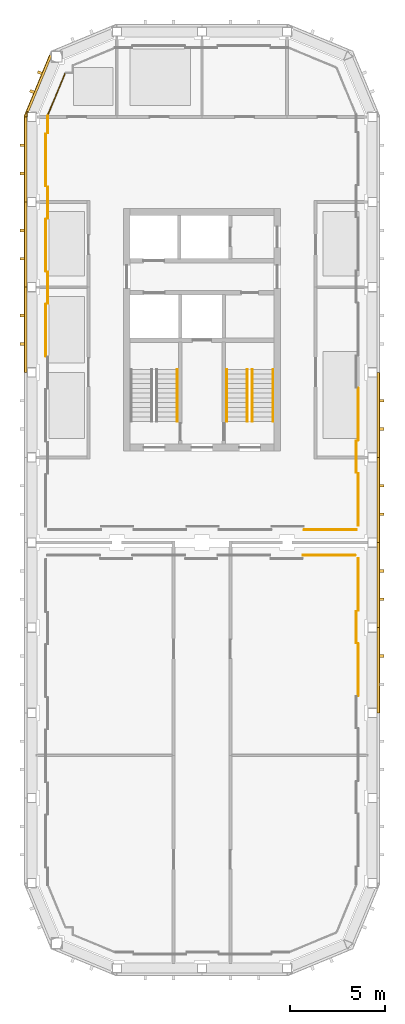
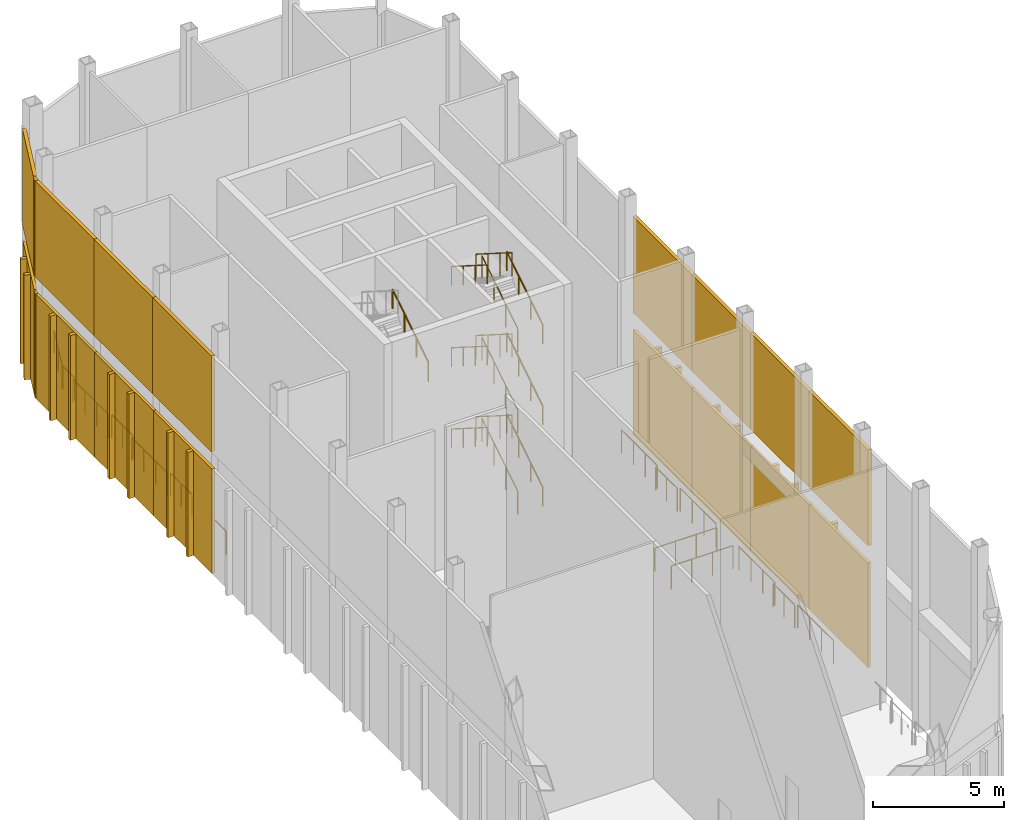
# One storey, part 6 of 8: 33 shading devices, 28 railings.
"""IFC4 building model written with IfcOpenShell, lengths in metres."""

from ifc_helpers import new_model, si_unit, direction, frame, origin, origin_2d, place, context, subcontext, project, spatial, polyline, rectangle, circle, outline, extrude, material, type_object, element, save


model = new_model("IFC4")

# Units and contexts
model_context = context("Model", 3, precision=1e-05, world=origin(), true_north=direction((0.0, 1.0)))
body_context = subcontext(model_context, "Body", "Model", "MODEL_VIEW")
ifc_project = project(units=[si_unit("LENGTHUNIT", "METRE"), si_unit("AREAUNIT", "SQUARE_METRE"), si_unit("VOLUMEUNIT", "CUBIC_METRE"), si_unit("PLANEANGLEUNIT", "RADIAN"), si_unit("MASSUNIT", "GRAM", prefix="KILO")], contexts=[model_context])

# Site, building, storey
site_placement = place(None, origin())
site = spatial("IfcSite", under=ifc_project, at=site_placement, CompositionType="ELEMENT")
building_placement = place(site_placement, origin())
building = spatial("IfcBuilding", under=site, at=building_placement, Name="Girih Gate Residences", CompositionType="ELEMENT")
storey_placement = place(building_placement, frame((0.0, 0.0, 235.695068359375)))
storey = spatial("IfcBuildingStorey", under=building, at=storey_placement, Name="L66", CompositionType="ELEMENT", Elevation=235.695068359375)

# Railings
ifc_material_1 = material(Name="Stainless steel railing", Category="steel")
railing_type_1 = type_object("IfcRailingType", Name="Crown deck guard 1100", PredefinedType="GUARDRAIL", material=ifc_material_1)
railing_1_placement = place(storey_placement, frame((14.35009765625, 21.824951171875, 0.0)))
element("IfcRailing", 1, at=railing_1_placement, inside=storey, type_object=railing_type_1, Name="Crown deck guard L66 1.1.7", PredefinedType="GUARDRAIL", context=body_context, shape_type="SweptSolid", body=[
    extrude(circle(Radius=0.02490234375, at=origin_2d()), frame((0.0, 0.0, 1.0751953125), z_axis=(1.0, 0.0, 0.0), x_axis=(0.0, 1.0, 0.0)), (0.0, 0.0, 1.0), 2.739990234375),
    extrude(circle(Radius=0.02490234375, at=origin_2d()), origin(), (0.0, 0.0, 1.0), 1.050048828125),
    extrude(circle(Radius=0.02490234375, at=origin_2d()), frame((0.913330078125, 0.0, 0.0)), (0.0, 0.0, 1.0), 1.050048828125),
    extrude(circle(Radius=0.02490234375, at=origin_2d()), frame((1.82666015625, 0.0, 0.0)), (0.0, 0.0, 1.0), 1.050048828125),
    extrude(circle(Radius=0.02490234375, at=origin_2d()), frame((2.739990234375, 0.0, 0.0)), (0.0, 0.0, 1.0), 1.050048828125),
])
railing_2_placement = place(storey_placement, frame((17.25, 21.64990234375, 0.0)))
element("IfcRailing", 2, at=railing_2_placement, inside=storey, type_object=railing_type_1, Name="Crown deck guard L66 1.1.8", PredefinedType="GUARDRAIL", context=body_context, shape_type="SweptSolid", body=[
    extrude(circle(Radius=0.02490234375, at=origin_2d()), frame((0.0, 0.0, 1.0751953125), z_axis=(0.0, -1.0, 0.0), x_axis=(1.0, 0.0, 0.0)), (0.0, 0.0, 1.0), 2.739990234375),
    extrude(circle(Radius=0.02490234375, at=origin_2d()), origin(), (0.0, 0.0, 1.0), 1.050048828125),
    extrude(circle(Radius=0.02490234375, at=origin_2d()), frame((0.0, -0.913330078125, 0.0)), (0.0, 0.0, 1.0), 1.050048828125),
    extrude(circle(Radius=0.02490234375, at=origin_2d()), frame((0.0, -1.82666015625, 0.0)), (0.0, 0.0, 1.0), 1.050048828125),
    extrude(circle(Radius=0.02490234375, at=origin_2d()), frame((0.0, -2.739990234375, 0.0)), (0.0, 0.0, 1.0), 1.050048828125),
])
railing_3_placement = place(storey_placement, frame((17.14990234375, 18.85009765625, 0.0)))
element("IfcRailing", 3, at=railing_3_placement, inside=storey, type_object=railing_type_1, Name="Crown deck guard L66 1.1.9", PredefinedType="GUARDRAIL", context=body_context, shape_type="SweptSolid", body=[
    extrude(circle(Radius=0.02490234375, at=origin_2d()), frame((0.0, 0.0, 1.0751953125), z_axis=(0.0, -1.0, 0.0), x_axis=(1.0, 0.0, 0.0)), (0.0, 0.0, 1.0), 1.64013671875),
    extrude(circle(Radius=0.02490234375, at=origin_2d()), origin(), (0.0, 0.0, 1.0), 1.050048828125),
    extrude(circle(Radius=0.02490234375, at=origin_2d()), frame((0.0, -0.820068359375, 0.0)), (0.0, 0.0, 1.0), 1.050048828125),
    extrude(circle(Radius=0.02490234375, at=origin_2d()), frame((0.0, -1.64013671875, 0.0)), (0.0, 0.0, 1.0), 1.050048828125),
])
railing_4_placement = place(storey_placement, frame((17.25, 17.14990234375, 0.0)))
element("IfcRailing", 4, at=railing_4_placement, inside=storey, type_object=railing_type_1, Name="Crown deck guard L66 1.1.10", PredefinedType="GUARDRAIL", context=body_context, shape_type="SweptSolid", body=[
    extrude(circle(Radius=0.02490234375, at=origin_2d()), frame((0.0, 0.0, 1.0751953125), z_axis=(0.0, -1.0, 0.0), x_axis=(1.0, 0.0, 0.0)), (0.0, 0.0, 1.0), 2.739990234375),
    extrude(circle(Radius=0.02490234375, at=origin_2d()), origin(), (0.0, 0.0, 1.0), 1.050048828125),
    extrude(circle(Radius=0.02490234375, at=origin_2d()), frame((0.0, -0.913330078125, 0.0)), (0.0, 0.0, 1.0), 1.050048828125),
    extrude(circle(Radius=0.02490234375, at=origin_2d()), frame((0.0, -1.82666015625, 0.0)), (0.0, 0.0, 1.0), 1.050048828125),
    extrude(circle(Radius=0.02490234375, at=origin_2d()), frame((0.0, -2.739990234375, 0.0)), (0.0, 0.0, 1.0), 1.050048828125),
])
railing_5_placement = place(storey_placement, frame((0.75, 32.35009765625, 0.0)))
element("IfcRailing", 5, at=railing_5_placement, inside=storey, type_object=railing_type_1, Name="Crown deck guard L66 2.1.5", PredefinedType="GUARDRAIL", context=body_context, shape_type="SweptSolid", body=[
    extrude(circle(Radius=0.02490234375, at=origin_2d()), frame((0.0, 0.0, 1.0751953125), z_axis=(0.0, 1.0, 0.0), x_axis=(-1.0, 0.0, 0.0)), (0.0, 0.0, 1.0), 2.739990234375),
    extrude(circle(Radius=0.02490234375, at=origin_2d()), origin(), (0.0, 0.0, 1.0), 1.050048828125),
    extrude(circle(Radius=0.02490234375, at=origin_2d()), frame((0.0, 0.913330078125, 0.0)), (0.0, 0.0, 1.0), 1.050048828125),
    extrude(circle(Radius=0.02490234375, at=origin_2d()), frame((0.0, 1.82666015625, 0.0)), (0.0, 0.0, 1.0), 1.050048828125),
    extrude(circle(Radius=0.02490234375, at=origin_2d()), frame((0.0, 2.739990234375, 0.0)), (0.0, 0.0, 1.0), 1.050048828125),
])
railing_6_placement = place(storey_placement, frame((0.85009765625, 35.14990234375, 0.0)))
element("IfcRailing", 6, at=railing_6_placement, inside=storey, type_object=railing_type_1, Name="Crown deck guard L66 2.1.6", PredefinedType="GUARDRAIL", context=body_context, shape_type="SweptSolid", body=[
    extrude(circle(Radius=0.02490234375, at=origin_2d()), frame((0.0, 0.0, 1.0751953125), z_axis=(0.0, 1.0, 0.0), x_axis=(-1.0, 0.0, 0.0)), (0.0, 0.0, 1.0), 1.64013671875),
    extrude(circle(Radius=0.02490234375, at=origin_2d()), origin(), (0.0, 0.0, 1.0), 1.050048828125),
    extrude(circle(Radius=0.02490234375, at=origin_2d()), frame((0.0, 0.820068359375, 0.0)), (0.0, 0.0, 1.0), 1.050048828125),
    extrude(circle(Radius=0.02490234375, at=origin_2d()), frame((0.0, 1.64013671875, 0.0)), (0.0, 0.0, 1.0), 1.050048828125),
])
railing_7_placement = place(storey_placement, frame((0.75, 36.85009765625, 0.0)))
element("IfcRailing", 7, at=railing_7_placement, inside=storey, type_object=railing_type_1, Name="Crown deck guard L66 2.1.7", PredefinedType="GUARDRAIL", context=body_context, shape_type="SweptSolid", body=[
    extrude(circle(Radius=0.02490234375, at=origin_2d()), frame((0.0, 0.0, 1.0751953125), z_axis=(0.0, 1.0, 0.0), x_axis=(-1.0, 0.0, 0.0)), (0.0, 0.0, 1.0), 2.739990234375),
    extrude(circle(Radius=0.02490234375, at=origin_2d()), origin(), (0.0, 0.0, 1.0), 1.050048828125),
    extrude(circle(Radius=0.02490234375, at=origin_2d()), frame((0.0, 0.913330078125, 0.0)), (0.0, 0.0, 1.0), 1.050048828125),
    extrude(circle(Radius=0.02490234375, at=origin_2d()), frame((0.0, 1.82666015625, 0.0)), (0.0, 0.0, 1.0), 1.050048828125),
    extrude(circle(Radius=0.02490234375, at=origin_2d()), frame((0.0, 2.739990234375, 0.0)), (0.0, 0.0, 1.0), 1.050048828125),
])
railing_8_placement = place(storey_placement, frame((0.85009765625, 39.64990234375, 0.0)))
element("IfcRailing", 8, at=railing_8_placement, inside=storey, type_object=railing_type_1, Name="Crown deck guard L66 2.1.8", PredefinedType="GUARDRAIL", context=body_context, shape_type="SweptSolid", body=[
    extrude(circle(Radius=0.02490234375, at=origin_2d()), frame((0.0, 0.0, 1.0751953125), z_axis=(0.0, 1.0, 0.0), x_axis=(-1.0, 0.0, 0.0)), (0.0, 0.0, 1.0), 1.64013671875),
    extrude(circle(Radius=0.02490234375, at=origin_2d()), origin(), (0.0, 0.0, 1.0), 1.050048828125),
    extrude(circle(Radius=0.02490234375, at=origin_2d()), frame((0.0, 0.820068359375, 0.0)), (0.0, 0.0, 1.0), 1.050048828125),
    extrude(circle(Radius=0.02490234375, at=origin_2d()), frame((0.0, 1.64013671875, 0.0)), (0.0, 0.0, 1.0), 1.050048828125),
])
railing_9_placement = place(storey_placement, frame((0.75, 41.35009765625, 0.0)))
element("IfcRailing", 9, at=railing_9_placement, inside=storey, type_object=railing_type_1, Name="Crown deck guard L66 2.1.9", PredefinedType="GUARDRAIL", context=body_context, shape_type="SweptSolid", body=[
    extrude(circle(Radius=0.02490234375, at=origin_2d()), frame((0.0, 0.0, 1.0751953125), z_axis=(0.0, 1.0, 0.0), x_axis=(-1.0, 0.0, 0.0)), (0.0, 0.0, 1.0), 2.739990234375),
    extrude(circle(Radius=0.02490234375, at=origin_2d()), origin(), (0.0, 0.0, 1.0), 1.050048828125),
    extrude(circle(Radius=0.02490234375, at=origin_2d()), frame((0.0, 0.913330078125, 0.0)), (0.0, 0.0, 1.0), 1.050048828125),
    extrude(circle(Radius=0.02490234375, at=origin_2d()), frame((0.0, 1.82666015625, 0.0)), (0.0, 0.0, 1.0), 1.050048828125),
    extrude(circle(Radius=0.02490234375, at=origin_2d()), frame((0.0, 2.739990234375, 0.0)), (0.0, 0.0, 1.0), 1.050048828125),
])
railing_10_placement = place(storey_placement, frame((0.85009765625, 44.14990234375, 0.0)))
element("IfcRailing", 10, at=railing_10_placement, inside=storey, type_object=railing_type_1, Name="Crown deck guard L66 2.1.10", PredefinedType="GUARDRAIL", context=body_context, shape_type="SweptSolid", body=[
    extrude(circle(Radius=0.02490234375, at=origin_2d()), frame((0.0, 0.0, 1.0751953125), z_axis=(0.0, 1.0, 0.0), x_axis=(-1.0, 0.0, 0.0)), (0.0, 0.0, 1.0), 0.88232421875),
    extrude(circle(Radius=0.02490234375, at=origin_2d()), origin(), (0.0, 0.0, 1.0), 1.050048828125),
    extrude(circle(Radius=0.02490234375, at=origin_2d()), frame((0.0, 0.88232421875, 0.0)), (0.0, 0.0, 1.0), 1.050048828125),
])
railing_11_placement = place(storey_placement, frame((0.85009765625, 45.09228515625, 0.0)))
element("IfcRailing", 11, at=railing_11_placement, inside=storey, type_object=railing_type_1, Name="Crown deck guard L66 2.1.11", PredefinedType="GUARDRAIL", context=body_context, shape_type="SweptSolid", body=[
    extrude(circle(Radius=0.02490234375, at=origin_2d()), frame((0.0, 0.0, 1.0751953125), z_axis=(0.382686187363, 0.923878391349, 0.0), x_axis=(-0.923878391349, 0.382686187363, 0.0)), (0.0, 0.0, 1.0), 2.3642578125),
    extrude(circle(Radius=0.02490234375, at=origin_2d()), origin(), (0.0, 0.0, 1.0), 1.050048828125),
    extrude(circle(Radius=0.02490234375, at=origin_2d()), frame((0.452392578125, 1.09228515625, 0.0)), (0.0, 0.0, 1.0), 1.050048828125),
    extrude(circle(Radius=0.02490234375, at=origin_2d()), frame((0.90478515625, 2.184326171875, 0.0)), (0.0, 0.0, 1.0), 1.050048828125),
])
railing_12_placement = place(storey_placement, frame((17.25, 30.64990234375, 0.0)))
element("IfcRailing", 12, at=railing_12_placement, inside=storey, type_object=railing_type_1, Name="Crown deck guard L66 2.1.29", PredefinedType="GUARDRAIL", context=body_context, shape_type="SweptSolid", body=[
    extrude(circle(Radius=0.02490234375, at=origin_2d()), frame((0.0, 0.0, 1.0751953125), z_axis=(0.0, -1.0, 0.0), x_axis=(1.0, 0.0, 0.0)), (0.0, 0.0, 1.0), 2.739990234375),
    extrude(circle(Radius=0.02490234375, at=origin_2d()), origin(), (0.0, 0.0, 1.0), 1.050048828125),
    extrude(circle(Radius=0.02490234375, at=origin_2d()), frame((0.0, -0.913330078125, 0.0)), (0.0, 0.0, 1.0), 1.050048828125),
    extrude(circle(Radius=0.02490234375, at=origin_2d()), frame((0.0, -1.82666015625, 0.0)), (0.0, 0.0, 1.0), 1.050048828125),
    extrude(circle(Radius=0.02490234375, at=origin_2d()), frame((0.0, -2.739990234375, 0.0)), (0.0, 0.0, 1.0), 1.050048828125),
])
railing_13_placement = place(storey_placement, frame((17.14990234375, 27.85009765625, 0.0)))
element("IfcRailing", 13, at=railing_13_placement, inside=storey, type_object=railing_type_1, Name="Crown deck guard L66 2.1.30", PredefinedType="GUARDRAIL", context=body_context, shape_type="SweptSolid", body=[
    extrude(circle(Radius=0.02490234375, at=origin_2d()), frame((0.0, 0.0, 1.0751953125), z_axis=(0.0, -1.0, 0.0), x_axis=(1.0, 0.0, 0.0)), (0.0, 0.0, 1.0), 1.64013671875),
    extrude(circle(Radius=0.02490234375, at=origin_2d()), origin(), (0.0, 0.0, 1.0), 1.050048828125),
    extrude(circle(Radius=0.02490234375, at=origin_2d()), frame((0.0, -0.820068359375, 0.0)), (0.0, 0.0, 1.0), 1.050048828125),
    extrude(circle(Radius=0.02490234375, at=origin_2d()), frame((0.0, -1.64013671875, 0.0)), (0.0, 0.0, 1.0), 1.050048828125),
])
railing_14_placement = place(storey_placement, frame((17.25, 26.14990234375, 0.0)))
element("IfcRailing", 14, at=railing_14_placement, inside=storey, type_object=railing_type_1, Name="Crown deck guard L66 2.1.31", PredefinedType="GUARDRAIL", context=body_context, shape_type="SweptSolid", body=[
    extrude(circle(Radius=0.02490234375, at=origin_2d()), frame((0.0, 0.0, 1.0751953125), z_axis=(0.0, -1.0, 0.0), x_axis=(1.0, 0.0, 0.0)), (0.0, 0.0, 1.0), 2.739990234375),
    extrude(circle(Radius=0.02490234375, at=origin_2d()), origin(), (0.0, 0.0, 1.0), 1.050048828125),
    extrude(circle(Radius=0.02490234375, at=origin_2d()), frame((0.0, -0.913330078125, 0.0)), (0.0, 0.0, 1.0), 1.050048828125),
    extrude(circle(Radius=0.02490234375, at=origin_2d()), frame((0.0, -1.82666015625, 0.0)), (0.0, 0.0, 1.0), 1.050048828125),
    extrude(circle(Radius=0.02490234375, at=origin_2d()), frame((0.0, -2.739990234375, 0.0)), (0.0, 0.0, 1.0), 1.050048828125),
])
railing_15_placement = place(storey_placement, frame((17.14990234375, 23.175048828125, 0.0)))
element("IfcRailing", 15, at=railing_15_placement, inside=storey, type_object=railing_type_1, Name="Crown deck guard L66 2.1.32", PredefinedType="GUARDRAIL", context=body_context, shape_type="SweptSolid", body=[
    extrude(circle(Radius=0.02490234375, at=origin_2d()), frame((0.0, 0.0, 1.0751953125), z_axis=(-1.0, 0.0, 0.0), x_axis=(0.0, -1.0, 0.0)), (0.0, 0.0, 1.0), 2.739990234375),
    extrude(circle(Radius=0.02490234375, at=origin_2d()), origin(), (0.0, 0.0, 1.0), 1.050048828125),
    extrude(circle(Radius=0.02490234375, at=origin_2d()), frame((-0.913330078125, 0.0, 0.0)), (0.0, 0.0, 1.0), 1.050048828125),
    extrude(circle(Radius=0.02490234375, at=origin_2d()), frame((-1.82666015625, 0.0, 0.0)), (0.0, 0.0, 1.0), 1.050048828125),
    extrude(circle(Radius=0.02490234375, at=origin_2d()), frame((-2.739990234375, 0.0, 0.0)), (0.0, 0.0, 1.0), 1.050048828125),
])

# Shading devices
ifc_material_2 = material(Name="Precast concrete C50/60", Category="concrete")
shading_device_type_1 = type_object("IfcShadingDeviceType", Name="Crown fluted rib 150x250", PredefinedType="USERDEFINED", material=ifc_material_2)
for number, where, z_axis, x_axis, name in (
    (16, (0.429931640625, 47.33154296875, 0.0), (0.0, 0.0, 1.0), (-0.382683432365, -0.923879532511, 0.0), "Crown rib 1.NW0013_0482.0.1"),
    (17, (0.018310546875, 46.337646484375, 0.0), (0.0, 0.0, 1.0), (-0.382683432365, -0.923879532511, 0.0), "Crown rib 1.NW0013_0482.0.2"),
    (18, (-0.4951171875, 43.5, 0.0), (0.0, 0.0, 1.0), (0.0, -1.0, 0.0), "Crown rib 1.W0000_0450.0.1"),
    (19, (-0.4951171875, 42.0, 0.0), (0.0, 0.0, 1.0), (0.0, -1.0, 0.0), "Crown rib 1.W0000_0450.0.2"),
    (20, (-0.4951171875, 39.0, 0.0), (0.0, 0.0, 1.0), (0.0, -1.0, 0.0), "Crown rib 1.W0000_0450.1.1"),
    (21, (-0.4951171875, 37.5, 0.0), (0.0, 0.0, 1.0), (0.0, -1.0, 0.0), "Crown rib 1.W0000_0450.1.2"),
    (22, (-0.4951171875, 34.5, 0.0), (0.0, 0.0, 1.0), (0.0, -1.0, 0.0), "Crown rib 1.W0000_0450.2.1"),
    (23, (-0.4951171875, 33.0, 0.0), (0.0, 0.0, 1.0), (0.0, -1.0, 0.0), "Crown rib 1.W0000_0450.2.2"),
    (24, (18.4951171875, 16.5, 0.0), (0.0, 0.0, 1.0), (0.0, 1.0, 0.0), "Crown rib 1.E0180_0045.2.2"),
    (25, (18.4951171875, 19.5, 0.0), (0.0, 0.0, 1.0), (0.0, 1.0, 0.0), "Crown rib 1.E0180_0045.3.1"),
    (26, (18.4951171875, 21.0, 0.0), (0.0, 0.0, 1.0), (0.0, 1.0, 0.0), "Crown rib 1.E0180_0045.3.2"),
    (27, (18.4951171875, 24.0, 0.0), (0.0, 0.0, 1.0), (0.0, 1.0, 0.0), "Crown rib 1.E0180_0045.4.1"),
    (28, (18.4951171875, 25.5, 0.0), (0.0, 0.0, 1.0), (0.0, 1.0, 0.0), "Crown rib 1.E0180_0045.4.2"),
    (29, (18.4951171875, 28.5, 0.0), (0.0, 0.0, 1.0), (0.0, 1.0, 0.0), "Crown rib 1.E0180_0045.5.1"),
    (30, (18.4951171875, 30.0, 0.0), (0.0, 0.0, 1.0), (0.0, 1.0, 0.0), "Crown rib 1.E0180_0045.5.2"),
):
    element("IfcShadingDevice", number, at=place(storey_placement, frame(where, z_axis=z_axis, x_axis=x_axis)), inside=storey, type_object=shading_device_type_1, Name=name, ObjectType="FIN", PredefinedType="USERDEFINED", context=body_context, shape_type="SweptSolid", body=[
        extrude(rectangle(XDim=0.14990234375, YDim=0.25, at=origin_2d()), origin(), (0.0, 0.0, 1.0), 4.89990234375),
    ])
ifc_material_3 = material(Name="Aluminium louvre", Category="aluminium")
shading_device_type_2 = type_object("IfcShadingDeviceType", Name="Crown louvre band 150", PredefinedType="USERDEFINED", material=ifc_material_3)
shading_device_1_placement = place(storey_placement, frame((0.381103515625, 46.76953125, 5.699951171875), z_axis=(0.0, 0.0, 1.0), x_axis=(-0.382683432365, -0.923879532511, 0.0)))
element("IfcShadingDevice", 31, at=shading_device_1_placement, inside=storey, type_object=shading_device_type_2, Name="Crown louvre 2.NW0013_0482.0", ObjectType="LOUVRE", PredefinedType="USERDEFINED", context=body_context, shape_type="SweptSolid", body=[
    extrude(rectangle(XDim=3.227294921875, YDim=0.14990234375, at=origin_2d()), origin(), (0.0, 0.0, 1.0), 4.5),
])
for number, where, z_axis, x_axis, name in (
    (32, (-0.324951171875, 42.75, 5.699951171875), (0.0, 0.0, 1.0), (0.0, -1.0, 0.0), "Crown louvre 2.W0000_0450.0"),
    (33, (-0.324951171875, 38.25, 5.699951171875), (0.0, 0.0, 1.0), (0.0, -1.0, 0.0), "Crown louvre 2.W0000_0450.1"),
    (34, (-0.324951171875, 33.75, 5.699951171875), (0.0, 0.0, 1.0), (0.0, -1.0, 0.0), "Crown louvre 2.W0000_0450.2"),
    (35, (18.324951171875, 15.75, 5.699951171875), (0.0, 0.0, 1.0), (0.0, 1.0, 0.0), "Crown louvre 2.E0180_0045.2"),
    (36, (18.324951171875, 20.25, 5.699951171875), (0.0, 0.0, 1.0), (0.0, 1.0, 0.0), "Crown louvre 2.E0180_0045.3"),
    (37, (18.324951171875, 24.75, 5.699951171875), (0.0, 0.0, 1.0), (0.0, 1.0, 0.0), "Crown louvre 2.E0180_0045.4"),
    (38, (18.324951171875, 29.25, 5.699951171875), (0.0, 0.0, 1.0), (0.0, 1.0, 0.0), "Crown louvre 2.E0180_0045.5"),
):
    element("IfcShadingDevice", number, at=place(storey_placement, frame(where, z_axis=z_axis, x_axis=x_axis)), inside=storey, type_object=shading_device_type_2, Name=name, ObjectType="LOUVRE", PredefinedType="USERDEFINED", context=body_context, shape_type="SweptSolid", body=[
        extrude(rectangle(XDim=4.5, YDim=0.14990234375, at=origin_2d()), origin(), (0.0, 0.0, 1.0), 4.5),
    ])
shading_device_2_placement = place(storey_placement, frame((0.0, 0.0, 5.699951171875)))
element("IfcShadingDevice", 39, at=shading_device_2_placement, inside=storey, type_object=shading_device_type_2, Name="Crown louvre corner 2.NW0013_0482.0", ObjectType="LOUVRE", PredefinedType="USERDEFINED", context=body_context, shape_type="SweptSolid", body=[
    extrude(outline(polyline([(-0.39990234375, 45.07958984375), (-0.3056640625, 45.307373046875), (-0.1669921875, 45.25), (-0.25, 45.25), (-0.25, 45.0), (-0.39990234375, 45.0), (-0.39990234375, 45.07958984375)])), origin(), (0.0, 0.0, 1.0), 4.5),
])
ifc_material_4 = material(Name="Turquoise glazed tile panjara screen")
shading_device_type_3 = type_object("IfcShadingDeviceType", Name="Crown tile screen 120", PredefinedType="USERDEFINED", material=ifc_material_4)
shading_device_3_placement = place(storey_placement, frame((0.39501953125, 46.763916015625, 0.0), z_axis=(0.0, 0.0, 1.0), x_axis=(-0.382683432365, -0.923879532511, 0.0)))
element("IfcShadingDevice", 40, at=shading_device_3_placement, inside=storey, type_object=shading_device_type_3, Name="Crown screen 1.NW0013_0482.0", ObjectType="SCREEN", PredefinedType="USERDEFINED", context=body_context, shape_type="SweptSolid", body=[
    extrude(rectangle(XDim=3.227294921875, YDim=0.1201171875, at=origin_2d()), origin(), (0.0, 0.0, 1.0), 4.89990234375),
])
for number, where, z_axis, x_axis, name in (
    (41, (-0.31005859375, 42.75, 0.0), (0.0, 0.0, 1.0), (0.0, -1.0, 0.0), "Crown screen 1.W0000_0450.0"),
    (42, (-0.31005859375, 38.25, 0.0), (0.0, 0.0, 1.0), (0.0, -1.0, 0.0), "Crown screen 1.W0000_0450.1"),
    (43, (-0.31005859375, 33.75, 0.0), (0.0, 0.0, 1.0), (0.0, -1.0, 0.0), "Crown screen 1.W0000_0450.2"),
    (44, (18.31005859375, 15.75, 0.0), (0.0, 0.0, 1.0), (0.0, 1.0, 0.0), "Crown screen 1.E0180_0045.2"),
    (45, (18.31005859375, 20.25, 0.0), (0.0, 0.0, 1.0), (0.0, 1.0, 0.0), "Crown screen 1.E0180_0045.3"),
    (46, (18.31005859375, 24.75, 0.0), (0.0, 0.0, 1.0), (0.0, 1.0, 0.0), "Crown screen 1.E0180_0045.4"),
    (47, (18.31005859375, 29.25, 0.0), (0.0, 0.0, 1.0), (0.0, 1.0, 0.0), "Crown screen 1.E0180_0045.5"),
):
    element("IfcShadingDevice", number, at=place(storey_placement, frame(where, z_axis=z_axis, x_axis=x_axis)), inside=storey, type_object=shading_device_type_3, Name=name, ObjectType="SCREEN", PredefinedType="USERDEFINED", context=body_context, shape_type="SweptSolid", body=[
        extrude(rectangle(XDim=4.5, YDim=0.1201171875, at=origin_2d()), origin(), (0.0, 0.0, 1.0), 4.89990234375),
    ])
shading_device_4_placement = place(storey_placement, origin())
element("IfcShadingDevice", 48, at=shading_device_4_placement, inside=storey, type_object=shading_device_type_3, Name="Crown screen corner 1.NW0013_0482.0", ObjectType="SCREEN", PredefinedType="USERDEFINED", context=body_context, shape_type="SweptSolid", body=[
    extrude(outline(polyline([(-0.3701171875, 45.073486328125), (-0.27783203125, 45.2958984375), (-0.1669921875, 45.25), (-0.25, 45.25), (-0.25, 45.0), (-0.3701171875, 45.0), (-0.3701171875, 45.073486328125)])), origin(), (0.0, 0.0, 1.0), 4.89990234375),
])

# Railings
ifc_material_5 = material(Name="Stainless steel", Category="steel")
railing_type_2 = type_object("IfcRailingType", Name="Stair guard 1100", PredefinedType="GUARDRAIL", material=ifc_material_5)
railing_16_placement = place(storey_placement, frame((11.64990234375, 28.89990234375, 0.158203125)))
element("IfcRailing", 49, at=railing_16_placement, inside=storey, type_object=railing_type_2, Name="L66 ST-W2 stair guard 1", PredefinedType="GUARDRAIL", context=body_context, shape_type="SweptSolid", body=[
    extrude(circle(Radius=0.02392578125, at=origin_2d()), frame((0.0, 0.0, 1.076171875), z_axis=(0.0, 0.844814555224, 0.535059218481), x_axis=(-1.0, 0.0, 0.0)), (0.0, 0.0, 1.0), 3.255126953125),
    extrude(circle(Radius=0.02099609375, at=origin_2d()), origin(), (0.0, 0.0, 1.0), 1.052001953125),
    extrude(circle(Radius=0.02099609375, at=origin_2d()), frame((0.0, 0.916748046875, 0.58056640625)), (0.0, 0.0, 1.0), 1.052001953125),
    extrude(circle(Radius=0.02099609375, at=origin_2d()), frame((0.0, 1.833251953125, 1.1611328125)), (0.0, 0.0, 1.0), 1.052001953125),
    extrude(circle(Radius=0.02099609375, at=origin_2d()), frame((0.0, 2.75, 1.74169921875)), (0.0, 0.0, 1.0), 1.052001953125),
])
railing_17_placement = place(storey_placement, frame((11.39990234375, 31.64990234375, 2.058349609375)))
element("IfcRailing", 50, at=railing_17_placement, inside=storey, type_object=railing_type_2, Name="L66 ST-W2 stair guard 2", PredefinedType="GUARDRAIL", context=body_context, shape_type="SweptSolid", body=[
    extrude(circle(Radius=0.02392578125, at=origin_2d()), frame((0.0, 0.0, 1.076171875), z_axis=(0.0, -0.844814555224, 0.535059218481), x_axis=(1.0, 0.0, 0.0)), (0.0, 0.0, 1.0), 3.255126953125),
    extrude(circle(Radius=0.02099609375, at=origin_2d()), origin(), (0.0, 0.0, 1.0), 1.052001953125),
    extrude(circle(Radius=0.02099609375, at=origin_2d()), frame((0.0, -0.916748046875, 0.58056640625)), (0.0, 0.0, 1.0), 1.052001953125),
    extrude(circle(Radius=0.02099609375, at=origin_2d()), frame((0.0, -1.833251953125, 1.1611328125)), (0.0, 0.0, 1.0), 1.052001953125),
    extrude(circle(Radius=0.02099609375, at=origin_2d()), frame((0.0, -2.75, 1.74169921875)), (0.0, 0.0, 1.0), 1.052001953125),
])
railing_18_placement = place(storey_placement, frame((11.64990234375, 28.89990234375, 3.958251953125)))
element("IfcRailing", 51, at=railing_18_placement, inside=storey, type_object=railing_type_2, Name="L66 ST-W2 stair guard 3", PredefinedType="GUARDRAIL", context=body_context, shape_type="SweptSolid", body=[
    extrude(circle(Radius=0.02392578125, at=origin_2d()), frame((0.0, 0.0, 1.076171875), z_axis=(0.0, 0.844814555224, 0.535059218481), x_axis=(-1.0, 0.0, 0.0)), (0.0, 0.0, 1.0), 3.255126953125),
    extrude(circle(Radius=0.02099609375, at=origin_2d()), origin(), (0.0, 0.0, 1.0), 1.052001953125),
    extrude(circle(Radius=0.02099609375, at=origin_2d()), frame((0.0, 0.916748046875, 0.58056640625)), (0.0, 0.0, 1.0), 1.052001953125),
    extrude(circle(Radius=0.02099609375, at=origin_2d()), frame((0.0, 1.833251953125, 1.1611328125)), (0.0, 0.0, 1.0), 1.052001953125),
    extrude(circle(Radius=0.02099609375, at=origin_2d()), frame((0.0, 2.75, 1.74169921875)), (0.0, 0.0, 1.0), 1.052001953125),
])
railing_19_placement = place(storey_placement, frame((11.39990234375, 31.64990234375, 5.858154296875)))
element("IfcRailing", 52, at=railing_19_placement, inside=storey, type_object=railing_type_2, Name="L66 ST-W2 stair guard 4", PredefinedType="GUARDRAIL", context=body_context, shape_type="SweptSolid", body=[
    extrude(circle(Radius=0.02392578125, at=origin_2d()), frame((0.0, 0.0, 1.076171875), z_axis=(0.0, -0.844814555224, 0.535059218481), x_axis=(1.0, 0.0, 0.0)), (0.0, 0.0, 1.0), 3.255126953125),
    extrude(circle(Radius=0.02099609375, at=origin_2d()), origin(), (0.0, 0.0, 1.0), 1.052001953125),
    extrude(circle(Radius=0.02099609375, at=origin_2d()), frame((0.0, -0.916748046875, 0.58056640625)), (0.0, 0.0, 1.0), 1.052001953125),
    extrude(circle(Radius=0.02099609375, at=origin_2d()), frame((0.0, -1.833251953125, 1.1611328125)), (0.0, 0.0, 1.0), 1.052001953125),
    extrude(circle(Radius=0.02099609375, at=origin_2d()), frame((0.0, -2.75, 1.74169921875)), (0.0, 0.0, 1.0), 1.052001953125),
])
railing_20_placement = place(storey_placement, frame((11.64990234375, 28.89990234375, 7.75830078125)))
element("IfcRailing", 53, at=railing_20_placement, inside=storey, type_object=railing_type_2, Name="L66 ST-W2 stair guard 5", PredefinedType="GUARDRAIL", context=body_context, shape_type="SweptSolid", body=[
    extrude(circle(Radius=0.02392578125, at=origin_2d()), frame((0.0, 0.0, 1.076171875), z_axis=(0.0, 0.844814555224, 0.535059218481), x_axis=(-1.0, 0.0, 0.0)), (0.0, 0.0, 1.0), 3.255126953125),
    extrude(circle(Radius=0.02099609375, at=origin_2d()), origin(), (0.0, 0.0, 1.0), 1.052001953125),
    extrude(circle(Radius=0.02099609375, at=origin_2d()), frame((0.0, 0.916748046875, 0.58056640625)), (0.0, 0.0, 1.0), 1.052001953125),
    extrude(circle(Radius=0.02099609375, at=origin_2d()), frame((0.0, 1.833251953125, 1.1611328125)), (0.0, 0.0, 1.0), 1.052001953125),
    extrude(circle(Radius=0.02099609375, at=origin_2d()), frame((0.0, 2.75, 1.74169921875)), (0.0, 0.0, 1.0), 1.052001953125),
])
railing_21_placement = place(storey_placement, frame((11.39990234375, 31.64990234375, 9.658203125)))
element("IfcRailing", 54, at=railing_21_placement, inside=storey, type_object=railing_type_2, Name="L66 ST-W2 stair guard 6", PredefinedType="GUARDRAIL", context=body_context, shape_type="SweptSolid", body=[
    extrude(circle(Radius=0.02392578125, at=origin_2d()), frame((0.0, 0.0, 1.076171875), z_axis=(0.0, -0.844814555224, 0.535059218481), x_axis=(1.0, 0.0, 0.0)), (0.0, 0.0, 1.0), 3.255126953125),
    extrude(circle(Radius=0.02099609375, at=origin_2d()), origin(), (0.0, 0.0, 1.0), 1.052001953125),
    extrude(circle(Radius=0.02099609375, at=origin_2d()), frame((0.0, -0.916748046875, 0.58056640625)), (0.0, 0.0, 1.0), 1.052001953125),
    extrude(circle(Radius=0.02099609375, at=origin_2d()), frame((0.0, -1.833251953125, 1.1611328125)), (0.0, 0.0, 1.0), 1.052001953125),
    extrude(circle(Radius=0.02099609375, at=origin_2d()), frame((0.0, -2.75, 1.74169921875)), (0.0, 0.0, 1.0), 1.052001953125),
])
railing_type_3 = type_object("IfcRailingType", Name="Stair handrail 900", PredefinedType="HANDRAIL", material=ifc_material_5)
for number, where, name in (
    (55, (7.699951171875, 28.89990234375, 7.75830078125), "L66 ST-W1 stair handrail 5"),
    (56, (12.75, 28.89990234375, 0.158203125), "L66 ST-W2 stair handrail 1"),
):
    element("IfcRailing", number, at=place(storey_placement, frame(where)), inside=storey, type_object=railing_type_3, Name=name, PredefinedType="HANDRAIL", context=body_context, shape_type="SweptSolid", body=[
        extrude(circle(Radius=0.02392578125, at=origin_2d()), frame((0.0, 0.0, 0.8857421875), z_axis=(0.0, 0.844814555224, 0.535059218481), x_axis=(-1.0, 0.0, 0.0)), (0.0, 0.0, 1.0), 3.255126953125),
        extrude(circle(Radius=0.02099609375, at=origin_2d()), origin(), (0.0, 0.0, 1.0), 0.86181640625),
        extrude(circle(Radius=0.02099609375, at=origin_2d()), frame((0.0, 0.916748046875, 0.58056640625)), (0.0, 0.0, 1.0), 0.86181640625),
        extrude(circle(Radius=0.02099609375, at=origin_2d()), frame((0.0, 1.833251953125, 1.1611328125)), (0.0, 0.0, 1.0), 0.86181640625),
        extrude(circle(Radius=0.02099609375, at=origin_2d()), frame((0.0, 2.75, 1.74169921875)), (0.0, 0.0, 1.0), 0.86181640625),
    ])
railing_22_placement = place(storey_placement, frame((10.300048828125, 31.64990234375, 2.058349609375)))
element("IfcRailing", 57, at=railing_22_placement, inside=storey, type_object=railing_type_3, Name="L66 ST-W2 stair handrail 2", PredefinedType="HANDRAIL", context=body_context, shape_type="SweptSolid", body=[
    extrude(circle(Radius=0.02392578125, at=origin_2d()), frame((0.0, 0.0, 0.8857421875), z_axis=(0.0, -0.844814555224, 0.535059218481), x_axis=(1.0, 0.0, 0.0)), (0.0, 0.0, 1.0), 3.255126953125),
    extrude(circle(Radius=0.02099609375, at=origin_2d()), origin(), (0.0, 0.0, 1.0), 0.86181640625),
    extrude(circle(Radius=0.02099609375, at=origin_2d()), frame((0.0, -0.916748046875, 0.58056640625)), (0.0, 0.0, 1.0), 0.86181640625),
    extrude(circle(Radius=0.02099609375, at=origin_2d()), frame((0.0, -1.833251953125, 1.1611328125)), (0.0, 0.0, 1.0), 0.86181640625),
    extrude(circle(Radius=0.02099609375, at=origin_2d()), frame((0.0, -2.75, 1.74169921875)), (0.0, 0.0, 1.0), 0.86181640625),
])
railing_23_placement = place(storey_placement, frame((12.75, 28.89990234375, 3.958251953125)))
element("IfcRailing", 58, at=railing_23_placement, inside=storey, type_object=railing_type_3, Name="L66 ST-W2 stair handrail 3", PredefinedType="HANDRAIL", context=body_context, shape_type="SweptSolid", body=[
    extrude(circle(Radius=0.02392578125, at=origin_2d()), frame((0.0, 0.0, 0.8857421875), z_axis=(0.0, 0.844814555224, 0.535059218481), x_axis=(-1.0, 0.0, 0.0)), (0.0, 0.0, 1.0), 3.255126953125),
    extrude(circle(Radius=0.02099609375, at=origin_2d()), origin(), (0.0, 0.0, 1.0), 0.86181640625),
    extrude(circle(Radius=0.02099609375, at=origin_2d()), frame((0.0, 0.916748046875, 0.58056640625)), (0.0, 0.0, 1.0), 0.86181640625),
    extrude(circle(Radius=0.02099609375, at=origin_2d()), frame((0.0, 1.833251953125, 1.1611328125)), (0.0, 0.0, 1.0), 0.86181640625),
    extrude(circle(Radius=0.02099609375, at=origin_2d()), frame((0.0, 2.75, 1.74169921875)), (0.0, 0.0, 1.0), 0.86181640625),
])
railing_24_placement = place(storey_placement, frame((10.300048828125, 31.64990234375, 5.858154296875)))
element("IfcRailing", 59, at=railing_24_placement, inside=storey, type_object=railing_type_3, Name="L66 ST-W2 stair handrail 4", PredefinedType="HANDRAIL", context=body_context, shape_type="SweptSolid", body=[
    extrude(circle(Radius=0.02392578125, at=origin_2d()), frame((0.0, 0.0, 0.8857421875), z_axis=(0.0, -0.844814555224, 0.535059218481), x_axis=(1.0, 0.0, 0.0)), (0.0, 0.0, 1.0), 3.255126953125),
    extrude(circle(Radius=0.02099609375, at=origin_2d()), origin(), (0.0, 0.0, 1.0), 0.86181640625),
    extrude(circle(Radius=0.02099609375, at=origin_2d()), frame((0.0, -0.916748046875, 0.58056640625)), (0.0, 0.0, 1.0), 0.86181640625),
    extrude(circle(Radius=0.02099609375, at=origin_2d()), frame((0.0, -1.833251953125, 1.1611328125)), (0.0, 0.0, 1.0), 0.86181640625),
    extrude(circle(Radius=0.02099609375, at=origin_2d()), frame((0.0, -2.75, 1.74169921875)), (0.0, 0.0, 1.0), 0.86181640625),
])
railing_25_placement = place(storey_placement, frame((12.75, 28.89990234375, 7.75830078125)))
element("IfcRailing", 60, at=railing_25_placement, inside=storey, type_object=railing_type_3, Name="L66 ST-W2 stair handrail 5", PredefinedType="HANDRAIL", context=body_context, shape_type="SweptSolid", body=[
    extrude(circle(Radius=0.02392578125, at=origin_2d()), frame((0.0, 0.0, 0.8857421875), z_axis=(0.0, 0.844814555224, 0.535059218481), x_axis=(-1.0, 0.0, 0.0)), (0.0, 0.0, 1.0), 3.255126953125),
    extrude(circle(Radius=0.02099609375, at=origin_2d()), origin(), (0.0, 0.0, 1.0), 0.86181640625),
    extrude(circle(Radius=0.02099609375, at=origin_2d()), frame((0.0, 0.916748046875, 0.58056640625)), (0.0, 0.0, 1.0), 0.86181640625),
    extrude(circle(Radius=0.02099609375, at=origin_2d()), frame((0.0, 1.833251953125, 1.1611328125)), (0.0, 0.0, 1.0), 0.86181640625),
    extrude(circle(Radius=0.02099609375, at=origin_2d()), frame((0.0, 2.75, 1.74169921875)), (0.0, 0.0, 1.0), 0.86181640625),
])
railing_26_placement = place(storey_placement, frame((10.300048828125, 31.64990234375, 9.658203125)))
element("IfcRailing", 61, at=railing_26_placement, inside=storey, type_object=railing_type_3, Name="L66 ST-W2 stair handrail 6", PredefinedType="HANDRAIL", context=body_context, shape_type="SweptSolid", body=[
    extrude(circle(Radius=0.02392578125, at=origin_2d()), frame((0.0, 0.0, 0.8857421875), z_axis=(0.0, -0.844814555224, 0.535059218481), x_axis=(1.0, 0.0, 0.0)), (0.0, 0.0, 1.0), 3.255126953125),
    extrude(circle(Radius=0.02099609375, at=origin_2d()), origin(), (0.0, 0.0, 1.0), 0.86181640625),
    extrude(circle(Radius=0.02099609375, at=origin_2d()), frame((0.0, -0.916748046875, 0.58056640625)), (0.0, 0.0, 1.0), 0.86181640625),
    extrude(circle(Radius=0.02099609375, at=origin_2d()), frame((0.0, -1.833251953125, 1.1611328125)), (0.0, 0.0, 1.0), 0.86181640625),
    extrude(circle(Radius=0.02099609375, at=origin_2d()), frame((0.0, -2.75, 1.74169921875)), (0.0, 0.0, 1.0), 0.86181640625),
])

save(model, "model.ifc")
